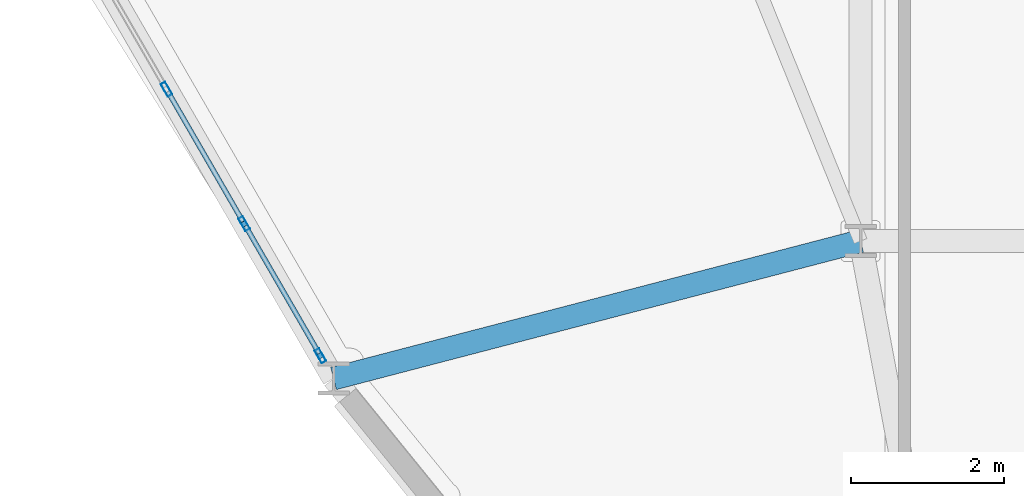
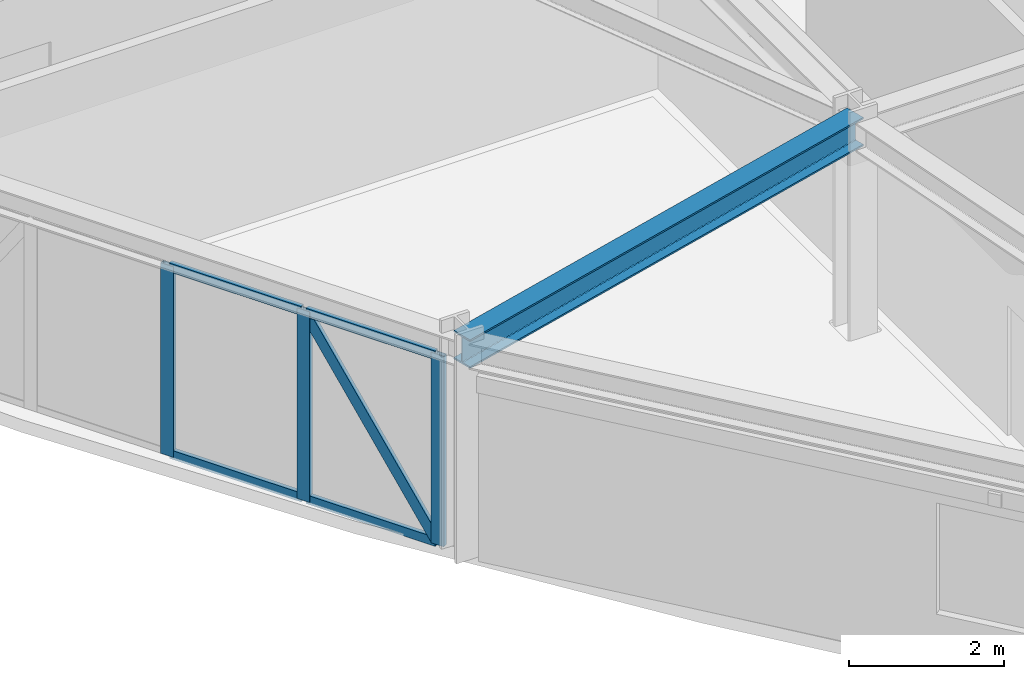
# One storey, part 2 of 15: 8 members, 1 beam, 1 element without a shape of its own.
"""IFC4 building model written with IfcOpenShell, lengths in metres."""

from ifc_helpers import new_model, si_unit, derived_unit, direction, frame, origin, origin_2d, place, context, subcontext, project, spatial, hollow_rectangle, i_section, extrude, source, transform, mapped, material, layer, layer_set, material_profile, profile_set, type_object, element, aggregate, save


model = new_model("IFC4")

# Units and contexts
model_context = context("Model", 3, precision=1e-05, world=origin(), true_north=direction((0.0, 1.0)))
body_context = subcontext(model_context, "Body", "Model", "MODEL_VIEW")
ifc_project = project(units=[si_unit("LENGTHUNIT", "METRE"), si_unit("AREAUNIT", "SQUARE_METRE"), si_unit("VOLUMEUNIT", "CUBIC_METRE"), si_unit("PLANEANGLEUNIT", "RADIAN"), si_unit("MASSUNIT", "GRAM", prefix="KILO"), derived_unit("THERMALTRANSMITTANCEUNIT", [(si_unit("POWERUNIT", "WATT"), 1), (si_unit("LENGTHUNIT", "METRE"), -2), (si_unit("THERMODYNAMICTEMPERATUREUNIT", "KELVIN"), -1)])], contexts=[model_context])

# Site, building, storey
site_placement = place(None, origin())
site = spatial("IfcSite", under=ifc_project, at=site_placement, CompositionType="ELEMENT")
building_placement = place(site_placement, origin())
building = spatial("IfcBuilding", under=site, at=building_placement, Name="Korsvarv Bourse and Concert Hall", CompositionType="ELEMENT")
storey_placement = place(building_placement, frame((0.0, 0.0, 157.800048828125)))
storey = spatial("IfcBuildingStorey", under=building, at=storey_placement, Name="L40", CompositionType="ELEMENT", Elevation=157.800048828125)

# Beam
ifc_material_1 = material(Name="Steel S355", Category="steel")
ifc_material_profile_1 = material_profile(ifc_material_1, i_section(OverallWidth=0.300048828125, OverallDepth=0.449951171875, WebThickness=0.013916015625, FlangeThickness=0.02587890625, FilletRadius=0.02099609375, at=origin_2d()), Name="HEB 450")
ifc_profile_set_1 = profile_set([ifc_material_profile_1], Name="Steel S355")
beam_type = type_object("IfcBeamType", Name="BM-HEB450", PredefinedType="SPANDREL", material=ifc_profile_set_1)
shared_shape_1 = source(origin(), body_context, "Body", "SweptSolid", [
    extrude(i_section(OverallWidth=0.300048828125, OverallDepth=0.449951171875, WebThickness=0.013916015625, FlangeThickness=0.02587890625, FilletRadius=0.02099609375, at=origin_2d()), origin(), (0.0, 0.0, 1.0), 7.125732421875),
])
beam_placement = place(storey_placement, frame((20.704833984375, 22.202392578125, 3.175048828125), z_axis=(0.967656919283, 0.252269868522, 0.0), x_axis=(-0.252269868522, 0.967656919283, 0.0)))
element("IfcBeam", 1, at=beam_placement, inside=storey, type_object=beam_type, Name="L40 beam B-08", PredefinedType="SPANDREL", context=body_context, shape_type="MappedRepresentation", body=[
    mapped(shared_shape_1, transform((0.0, 0.0, 0.0), scale=1.0)),
])

# Curtain wall, members
ifc_material_2 = material(Name="Anodised aluminium and triple low-E glazing", Category="glass")
ifc_layer = layer(ifc_material_2, 0.2099609375)
ifc_layer_set = layer_set([ifc_layer], Name="Anodised aluminium and triple low-E glazing")
curtain_wall_type = type_object("IfcCurtainWallType", Name="CW-SYS-2", PredefinedType="NOTDEFINED", material=ifc_layer_set)
curtain_wall_placement = place(storey_placement, origin())
curtain_wall = element("IfcCurtainWall", 2, at=curtain_wall_placement, inside=storey, type_object=curtain_wall_type, Name="L40 CW2 curtain wall CW-L40-F07", PredefinedType="NOTDEFINED")
ifc_material_3 = material(Name="Extruded aluminium EN AW-6063 T66", Category="aluminium")
ifc_material_profile_2 = material_profile(ifc_material_3, hollow_rectangle(XDim=0.070068359375, YDim=0.18994140625, WallThickness=0.0048828125, at=origin_2d()), Name="ALU-M 70x190")
ifc_profile_set_2 = profile_set([ifc_material_profile_2], Name="Extruded aluminium EN AW-6063 T66")
member_type_1 = type_object("IfcMemberType", Name="CWM-190", PredefinedType="MULLION", material=ifc_profile_set_2)
shared_shape_2 = source(origin(), body_context, "Body", "SweptSolid", [
    extrude(hollow_rectangle(XDim=0.070068359375, YDim=0.18994140625, WallThickness=0.0048828125, at=origin_2d()), origin(), (0.0, 0.0, 1.0), 3.0),
])
member_1_placement = place(storey_placement, frame((18.51953125, 25.9873046875, 0.0), z_axis=(0.0, 0.0, 1.0), x_axis=(0.86602405061, 0.500002343759, 0.0)))
member_1 = element("IfcMember", 3, at=member_1_placement, type_object=member_type_1, Name="CW2 mullion 5", PredefinedType="MULLION", context=body_context, shape_type="MappedRepresentation", body=[
    mapped(shared_shape_2, transform((0.0, 0.0, 0.0), scale=1.0)),
])
member_2_placement = place(storey_placement, frame((19.534912109375, 24.228515625, 0.0), z_axis=(0.0, 0.0, 1.0), x_axis=(0.86602405061, 0.500002343759, 0.0)))
member_2 = element("IfcMember", 4, at=member_2_placement, type_object=member_type_1, Name="CW2 mullion 6", PredefinedType="MULLION", context=body_context, shape_type="MappedRepresentation", body=[
    mapped(shared_shape_2, transform((0.0, 0.0, 0.0), scale=1.0)),
])
member_3_placement = place(storey_placement, frame((20.532958984375, 22.5, 0.0), z_axis=(0.0, 0.0, 1.0), x_axis=(0.86602405061, 0.500002343759, 0.0)))
member_3 = element("IfcMember", 5, at=member_3_placement, type_object=member_type_1, Name="CW2 mullion 7", PredefinedType="MULLION", context=body_context, shape_type="MappedRepresentation", body=[
    mapped(shared_shape_2, transform((0.0, 0.0, 0.0), scale=1.0)),
])
ifc_material_profile_3 = material_profile(ifc_material_3, hollow_rectangle(XDim=0.06494140625, YDim=0.139892578125, WallThickness=0.00390625, at=origin_2d()), Name="ALU-T 65x140")
ifc_profile_set_3 = profile_set([ifc_material_profile_3], Name="Extruded aluminium EN AW-6063 T66")
member_type_2 = type_object("IfcMemberType", Name="CWT-140", PredefinedType="USERDEFINED", material=ifc_profile_set_3)
shared_shape_3 = source(origin(), body_context, "Body", "SweptSolid", [
    extrude(hollow_rectangle(XDim=0.06494140625, YDim=0.139892578125, WallThickness=0.00390625, at=origin_2d()), origin(), (0.0, 0.0, 1.0), 1.92578125),
])
member_4_placement = place(storey_placement, frame((19.552490234375, 24.1982421875, 0.032470703125), z_axis=(0.50001143954, -0.866018799062, 0.0), x_axis=(0.866018799062, 0.50001143954, 0.0)))
member_4 = element("IfcMember", 6, at=member_4_placement, type_object=member_type_2, Name="CW2 transom 6.1", ObjectType="TRANSOM", PredefinedType="USERDEFINED", context=body_context, shape_type="MappedRepresentation", body=[
    mapped(shared_shape_3, transform((0.0, 0.0, 0.0), scale=1.0)),
])
member_5_placement = place(storey_placement, frame((19.552490234375, 24.1982421875, 2.967529296875), z_axis=(0.50001143954, -0.866018799062, 0.0), x_axis=(0.866018799062, 0.50001143954, 0.0)))
member_5 = element("IfcMember", 7, at=member_5_placement, type_object=member_type_2, Name="CW2 transom 6.2", ObjectType="TRANSOM", PredefinedType="USERDEFINED", context=body_context, shape_type="MappedRepresentation", body=[
    mapped(shared_shape_3, transform((0.0, 0.0, 0.0), scale=1.0)),
])
shared_shape_4 = source(origin(), body_context, "Body", "SweptSolid", [
    extrude(hollow_rectangle(XDim=0.06494140625, YDim=0.139892578125, WallThickness=0.00390625, at=origin_2d()), origin(), (0.0, 0.0, 1.0), 1.9609375),
])
member_6_placement = place(storey_placement, frame((18.537109375, 25.95703125, 0.032470703125), z_axis=(0.499902088912, -0.866081925398, 0.0), x_axis=(0.866081925398, 0.499902088912, 0.0)))
member_6 = element("IfcMember", 8, at=member_6_placement, type_object=member_type_2, Name="CW2 transom 5.1", ObjectType="TRANSOM", PredefinedType="USERDEFINED", context=body_context, shape_type="MappedRepresentation", body=[
    mapped(shared_shape_4, transform((0.0, 0.0, 0.0), scale=1.0)),
])
member_7_placement = place(storey_placement, frame((18.537109375, 25.95703125, 2.967529296875), z_axis=(0.499902088912, -0.866081925398, 0.0), x_axis=(0.866081925398, 0.499902088912, 0.0)))
member_7 = element("IfcMember", 9, at=member_7_placement, type_object=member_type_2, Name="CW2 transom 5.2", ObjectType="TRANSOM", PredefinedType="USERDEFINED", context=body_context, shape_type="MappedRepresentation", body=[
    mapped(shared_shape_4, transform((0.0, 0.0, 0.0), scale=1.0)),
])
ifc_material_profile_4 = material_profile(ifc_material_3, hollow_rectangle(XDim=0.06494140625, YDim=0.1650390625, WallThickness=0.0048828125, at=origin_2d()), Name="ALU-M 65x165")
ifc_profile_set_4 = profile_set([ifc_material_profile_4], Name="Extruded aluminium EN AW-6063 T66")
member_type_3 = type_object("IfcMemberType", Name="CWM-165", PredefinedType="MULLION", material=ifc_profile_set_4)
shared_shape_5 = source(origin(), body_context, "Body", "SweptSolid", [
    extrude(hollow_rectangle(XDim=0.06494140625, YDim=0.1650390625, WallThickness=0.0048828125, at=origin_2d()), origin(), (0.0, 0.0, 1.0), 3.456298828125),
])
member_8_placement = place(storey_placement, frame((20.515380859375, 22.530517578125, 0.06494140625), z_axis=(-0.278589690885, 0.482516779522, 0.830400711471), x_axis=(-0.866018799062, -0.50001143954, 0.0)))
member_8 = element("IfcMember", 10, at=member_8_placement, type_object=member_type_3, Name="CW2 diagonal mullion 6", PredefinedType="MULLION", context=body_context, shape_type="MappedRepresentation", body=[
    mapped(shared_shape_5, transform((0.0, 0.0, 0.0), scale=1.0)),
])
aggregate(curtain_wall, [member_1, member_2, member_3, member_6, member_7, member_4, member_5, member_8])

save(model, "model.ifc")
